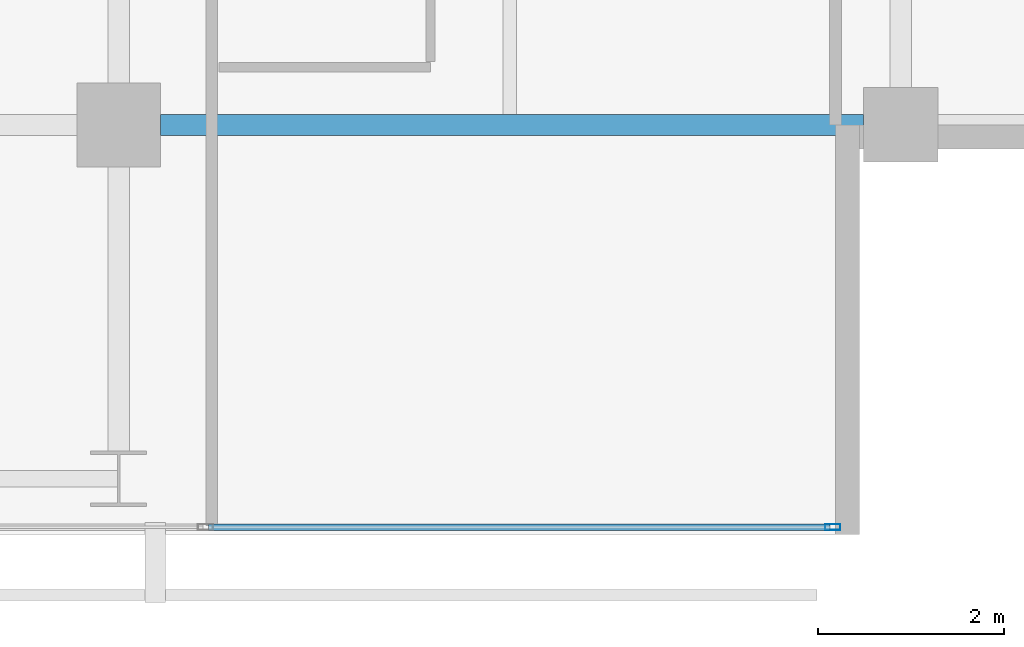
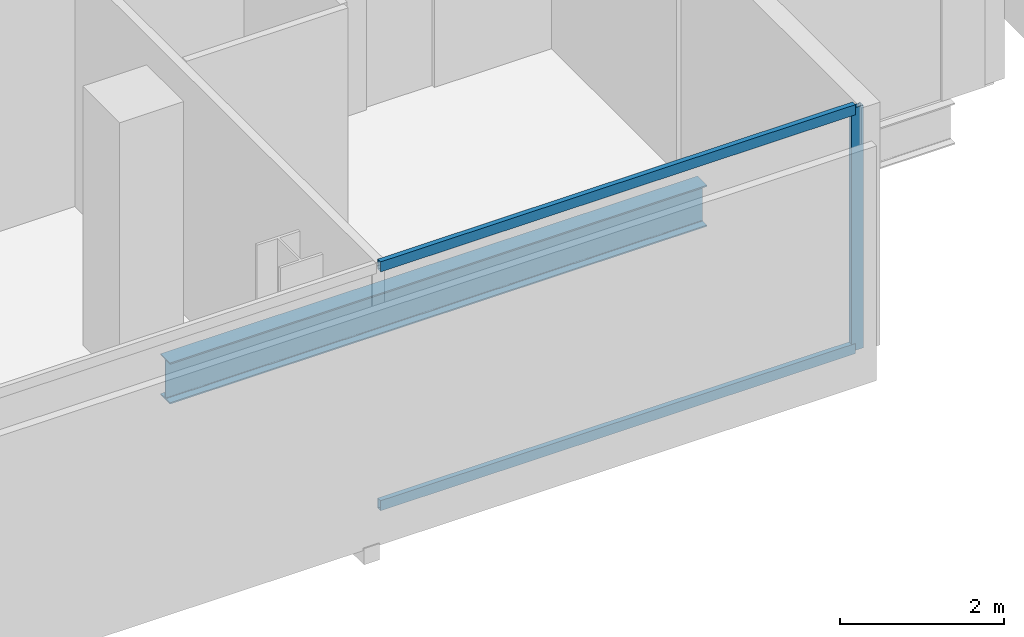
# One storey, part 13 of 33: 3 members, 1 beam, 1 element without a shape of its own.
"""IFC4 building model written with IfcOpenShell, lengths in metres."""

from ifc_helpers import new_model, si_unit, direction, frame, origin, origin_2d, place, context, subcontext, project, spatial, hollow_rectangle, i_section, extrude, material, layer, layer_set, material_profile, profile_set, type_object, element, aggregate, save


model = new_model("IFC4")

# Units and contexts
model_context = context("Model", 3, precision=1e-05, world=origin(), true_north=direction((0.0, 1.0)))
body_context = subcontext(model_context, "Body", "Model", "MODEL_VIEW")
ifc_project = project(units=[si_unit("LENGTHUNIT", "METRE"), si_unit("AREAUNIT", "SQUARE_METRE"), si_unit("VOLUMEUNIT", "CUBIC_METRE"), si_unit("PLANEANGLEUNIT", "RADIAN"), si_unit("MASSUNIT", "GRAM", prefix="KILO")], contexts=[model_context])

# Site, building, storey
site_placement = place(None, origin())
site = spatial("IfcSite", under=ifc_project, at=site_placement, CompositionType="ELEMENT")
building_placement = place(site_placement, origin())
building = spatial("IfcBuilding", under=site, at=building_placement, Name="Maruvema Waterfront Hotel and Observation Tower", CompositionType="ELEMENT")
storey_placement = place(building_placement, frame((0.0, 0.0, 150.5)))
storey = spatial("IfcBuildingStorey", under=building, at=storey_placement, Name="L36", CompositionType="ELEMENT", Elevation=150.5)

# Curtain wall, members
ifc_material_1 = material(Name="Anodised bronze aluminium and solar-control low-E IGU", Category="aluminium")
ifc_layer = layer(ifc_material_1, 0.159912109375, Name="Zone 2 Amber Inner Thermal Curtain Wall System CW-03")
ifc_layer_set = layer_set([ifc_layer], Name="Anodised bronze aluminium and solar-control low-E IGU")
curtain_wall_type = type_object("IfcCurtainWallType", Name="Zone 2 Amber Inner Thermal Curtain Wall System CW-03", PredefinedType="USERDEFINED", material=ifc_layer_set)
curtain_wall_placement = place(storey_placement, origin())
curtain_wall = element("IfcCurtainWall", 1, at=curtain_wall_placement, inside=storey, type_object=curtain_wall_type, Name="L36 Curtain Wall CW-L36-S", ObjectType="UNITISED CURTAIN WALL", PredefinedType="USERDEFINED")
ifc_material_2 = material(Name="Anodised architectural bronze aluminium", Category="aluminium")
ifc_material_profile_1 = material_profile(ifc_material_2, hollow_rectangle(XDim=0.070068359375, YDim=0.14990234375, WallThickness=0.00390625, at=origin_2d()), Name="ALU-T70x150")
ifc_profile_set_1 = profile_set([ifc_material_profile_1], Name="Anodised architectural bronze aluminium")
member_type_1 = type_object("IfcMemberType", Name="Curtain Wall Horizontal Transom ALU-T70x150", PredefinedType="USERDEFINED", material=ifc_profile_set_1)
member_1_placement = place(storey_placement, frame((51.36328125, 4.679931640625, 0.030029296875), z_axis=(1.0, 0.0, 0.0), x_axis=(0.0, 1.0, 0.0)))
member_1 = element("IfcMember", 2, at=member_1_placement, type_object=member_type_1, Name="CW-03 transom 6.1", ObjectType="TRANSOM", PredefinedType="USERDEFINED", context=body_context, shape_type="SweptSolid", body=[
    extrude(hollow_rectangle(XDim=0.070068359375, YDim=0.14990234375, WallThickness=0.00390625, at=origin_2d()), origin(), (0.0, 0.0, 1.0), 6.6767578125),
])
member_2_placement = place(storey_placement, frame((51.36328125, 4.679931640625, 3.580078125), z_axis=(1.0, 0.0, 0.0), x_axis=(0.0, 1.0, 0.0)))
member_2 = element("IfcMember", 3, at=member_2_placement, type_object=member_type_1, Name="CW-03 transom 6.2", ObjectType="TRANSOM", PredefinedType="USERDEFINED", context=body_context, shape_type="SweptSolid", body=[
    extrude(hollow_rectangle(XDim=0.070068359375, YDim=0.14990234375, WallThickness=0.00390625, at=origin_2d()), origin(), (0.0, 0.0, 1.0), 6.6767578125),
])
ifc_material_3 = material(Name="Anodised architectural bronze aluminium", Category="aluminium")
ifc_material_profile_2 = material_profile(ifc_material_3, hollow_rectangle(XDim=0.06494140625, YDim=0.1650390625, WallThickness=0.00390625, at=origin_2d()), Name="ALU-M65x165")
ifc_profile_set_2 = profile_set([ifc_material_profile_2], Name="Anodised architectural bronze aluminium")
member_type_2 = type_object("IfcMemberType", Name="Curtain Wall Primary Mullion ALU-M65x165", PredefinedType="MULLION", material=ifc_profile_set_2)
member_3_placement = place(storey_placement, frame((58.070068359375, 4.679931640625, 0.0), z_axis=(0.0, 0.0, 1.0), x_axis=(0.0, 1.0, 0.0)))
member_3 = element("IfcMember", 4, at=member_3_placement, type_object=member_type_2, Name="CW-03 mullion 7", PredefinedType="MULLION", context=body_context, shape_type="SweptSolid", body=[
    extrude(hollow_rectangle(XDim=0.06494140625, YDim=0.1650390625, WallThickness=0.00390625, at=origin_2d()), origin(), (0.0, 0.0, 1.0), 3.610107421875),
])
aggregate(curtain_wall, [member_3, member_1, member_2])

# Beam
ifc_material_4 = material(Name="Steel ASTM A572 Grade 50", Category="steel")
ifc_material_profile_3 = material_profile(ifc_material_4, i_section(OverallWidth=0.22900390625, OverallDepth=0.612060546875, WebThickness=0.011962890625, FlangeThickness=0.01953125, FilletRadius=0.01806640625, at=origin_2d()), Name="W610x125.0")
ifc_profile_set_3 = profile_set([ifc_material_profile_3], Name="Steel ASTM A572 Grade 50")
beam_type = type_object("IfcBeamType", Name="Primary Floor Girder W610x125.0", PredefinedType="BEAM", material=ifc_profile_set_3)
beam_placement = place(storey_placement, frame((50.85009765625, 9.0, -0.5458984375), z_axis=(1.0, 0.0, 0.0), x_axis=(0.0, 1.0, 0.0)))
element("IfcBeam", 5, at=beam_placement, inside=storey, type_object=beam_type, Name="L36 Floor Girder EW-09", PredefinedType="BEAM", context=body_context, shape_type="SweptSolid", body=[
    extrude(i_section(OverallWidth=0.22900390625, OverallDepth=0.612060546875, WebThickness=0.011962890625, FlangeThickness=0.01953125, FilletRadius=0.01806640625, at=origin_2d()), origin(), (0.0, 0.0, 1.0), 7.5498046875),
])

save(model, "model.ifc")
